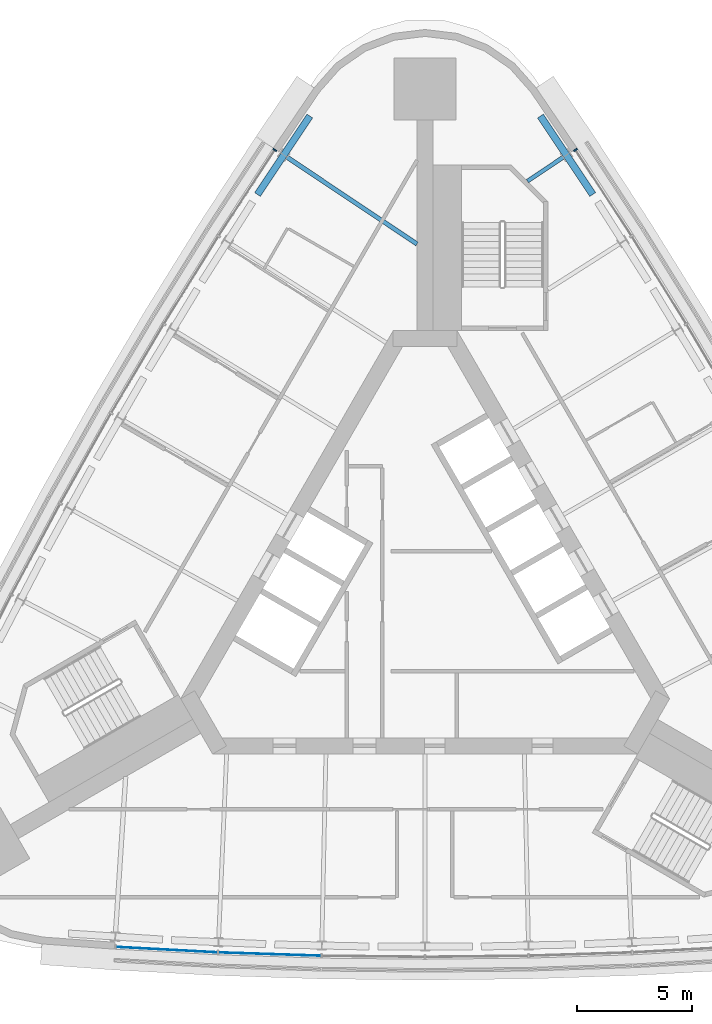
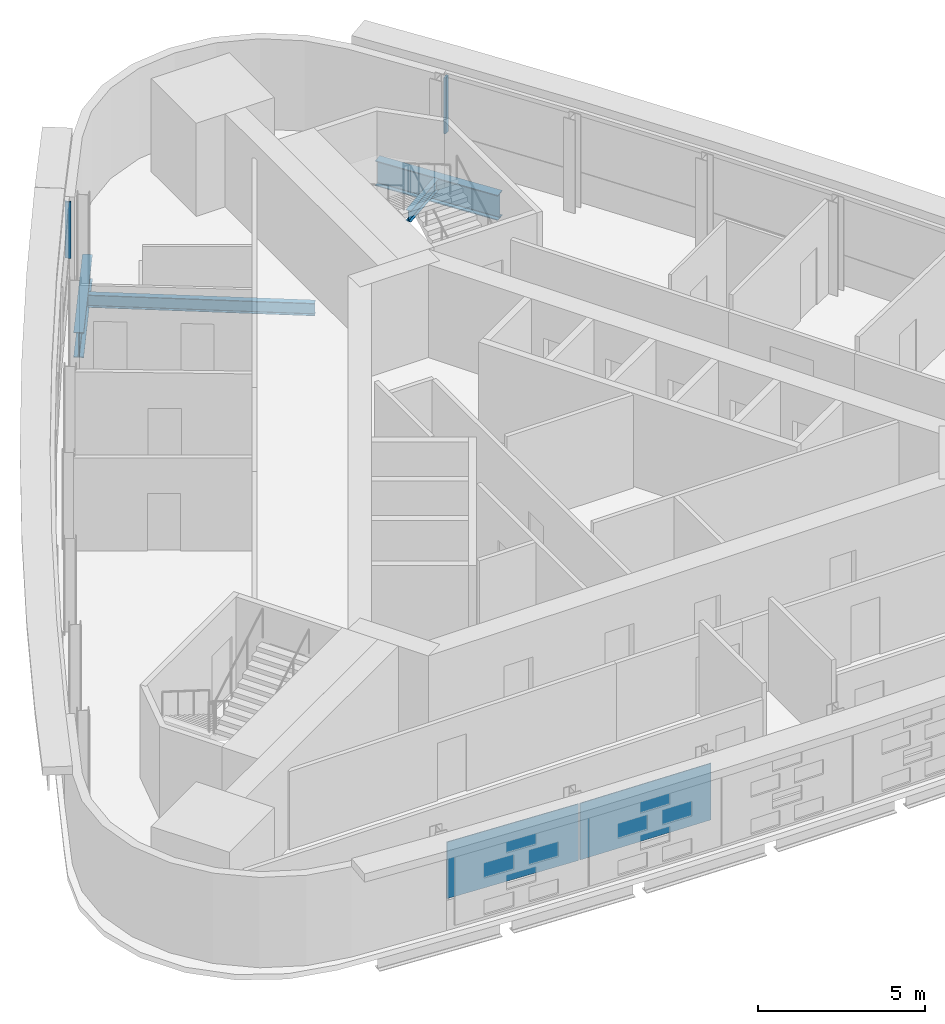
# One storey, part 5 of 10: 4 beams, 2 members, 2 plates, 3 elements without a shape of their own.
"""IFC4 building model written with IfcOpenShell, lengths in metres."""

from ifc_helpers import new_model, si_unit, direction, frame, origin, origin_2d, place, context, subcontext, project, spatial, rectangle, i_section, extrude, material, layer, layer_set, material_profile, profile_set, type_object, element, aggregate, save


model = new_model("IFC4")

# Units and contexts
model_context = context("Model", 3, precision=1e-05, world=origin(), true_north=direction((0.0, 1.0)))
body_context = subcontext(model_context, "Body", "Model", "MODEL_VIEW")
ifc_project = project(units=[si_unit("LENGTHUNIT", "METRE"), si_unit("AREAUNIT", "SQUARE_METRE"), si_unit("VOLUMEUNIT", "CUBIC_METRE"), si_unit("PLANEANGLEUNIT", "RADIAN"), si_unit("MASSUNIT", "GRAM", prefix="KILO")], contexts=[model_context])

# Site, building, storey
site_placement = place(None, origin())
site = spatial("IfcSite", under=ifc_project, at=site_placement, CompositionType="ELEMENT")
building_placement = place(site_placement, origin())
building = spatial("IfcBuilding", under=site, at=building_placement, Name="Noor Cloister Tower", CompositionType="ELEMENT")
storey_placement = place(building_placement, frame((0.0, 0.0, 192.300048828125)))
storey = spatial("IfcBuildingStorey", under=building, at=storey_placement, Name="L49", CompositionType="ELEMENT", Elevation=192.300048828125)

# Curtain wall, member
ifc_material_1 = material(Name="Aluminium 6063-T6 anodised", Category="aluminium")
curtain_wall_type = type_object("IfcCurtainWallType", Name="Ribbon curtain wall, upper tower CW5", PredefinedType="NOTDEFINED", material=ifc_material_1)
curtain_wall_1_placement = place(storey_placement, origin())
curtain_wall_1 = element("IfcCurtainWall", 1, at=curtain_wall_1_placement, inside=storey, type_object=curtain_wall_type, Name="CW5 L49 NW run 1", PredefinedType="NOTDEFINED")
ifc_material_2 = material(Name="Aluminium 6063-T6 anodised", Category="aluminium")
ifc_material_profile_1 = material_profile(ifc_material_2, rectangle(XDim=0.179931640625, YDim=0.070068359375, at=origin_2d()), Name="180 x 70 mullion")
ifc_profile_set_1 = profile_set([ifc_material_profile_1], Name="Aluminium 6063-T6 anodised")
member_type = type_object("IfcMemberType", Name="Mullion CW5 70 x 180", PredefinedType="MULLION", material=ifc_profile_set_1)
member_1_placement = place(storey_placement, frame((-6.530517578125, 19.30126953125, 1.099853515625), z_axis=(0.0, 0.0, 1.0), x_axis=(0.837721175681, -0.546098188804, 0.0)))
member_1 = element("IfcMember", 2, at=member_1_placement, type_object=member_type, Name="CW5 mullion 1", PredefinedType="MULLION", context=body_context, shape_type="SweptSolid", body=[
    extrude(rectangle(XDim=0.179931640625, YDim=0.070068359375, at=origin_2d()), origin(), (0.0, 0.0, 1.0), 2.050048828125),
])
aggregate(curtain_wall_1, [member_1])

curtain_wall_2_placement = place(storey_placement, origin())
curtain_wall_2 = element("IfcCurtainWall", 3, at=curtain_wall_2_placement, inside=storey, type_object=curtain_wall_type, Name="CW5 L49 NE run 3", PredefinedType="NOTDEFINED")
member_2_placement = place(storey_placement, frame((6.530517578125, 19.30126953125, 1.099853515625), z_axis=(0.0, 0.0, 1.0), x_axis=(-0.837721175681, -0.546098188804, 0.0)))
member_2 = element("IfcMember", 4, at=member_2_placement, type_object=member_type, Name="CW5 mullion 7", PredefinedType="MULLION", context=body_context, shape_type="SweptSolid", body=[
    extrude(rectangle(XDim=0.179931640625, YDim=0.070068359375, at=origin_2d()), origin(), (0.0, 0.0, 1.0), 2.050048828125),
])
aggregate(curtain_wall_2, [member_2])

# Beams
ifc_material_3 = material(Name="Steel ASTM A992 Gr 50", Category="steel")
ifc_material_profile_2 = material_profile(ifc_material_3, i_section(OverallWidth=0.177978515625, OverallDepth=0.406005859375, WebThickness=0.0078125, FlangeThickness=0.0126953125, FilletRadius=0.01025390625, at=origin_2d()), Name="W410x60")
ifc_profile_set_2 = profile_set([ifc_material_profile_2], Name="Steel ASTM A992 Gr 50")
beam_type_1 = type_object("IfcBeamType", Name="Radial beam W410x60", PredefinedType="BEAM", material=ifc_profile_set_2)
beam_1_placement = place(storey_placement, frame((6.0107421875, 18.9951171875, -0.403076171875), z_axis=(-0.831791118976, -0.555088762625, 0.0), x_axis=(0.555088762625, -0.831791118976, 0.0)))
element("IfcBeam", 5, at=beam_1_placement, inside=storey, type_object=beam_type_1, Name="Radial beam NE 07 L49", PredefinedType="BEAM", context=body_context, shape_type="SweptSolid", body=[
    extrude(i_section(OverallWidth=0.177978515625, OverallDepth=0.406005859375, WebThickness=0.0078125, FlangeThickness=0.0126953125, FilletRadius=0.01025390625, at=origin_2d()), origin(), (0.0, 0.0, 1.0), 1.884521484375),
])
ifc_material_4 = material(Name="Steel ASTM A992 Gr 50", Category="steel")
ifc_material_profile_3 = material_profile(ifc_material_4, i_section(OverallWidth=0.19091796875, OverallDepth=0.45703125, WebThickness=0.009033203125, FlangeThickness=0.014404296875, FilletRadius=0.01025390625, at=origin_2d()), Name="W460x74")
ifc_profile_set_3 = profile_set([ifc_material_profile_3], Name="Steel ASTM A992 Gr 50")
beam_type_2 = type_object("IfcBeamType", Name="Radial beam W460x74", PredefinedType="BEAM", material=ifc_profile_set_3)
beam_2_placement = place(storey_placement, frame((-6.0107421875, 18.9951171875, -0.428466796875), z_axis=(0.831757673518, -0.555138876809, 0.0), x_axis=(0.555138876809, 0.831757673518, 0.0)))
element("IfcBeam", 6, at=beam_2_placement, inside=storey, type_object=beam_type_2, Name="Radial beam NW 01 L49", PredefinedType="BEAM", context=body_context, shape_type="SweptSolid", body=[
    extrude(i_section(OverallWidth=0.19091796875, OverallDepth=0.45703125, WebThickness=0.009033203125, FlangeThickness=0.014404296875, FilletRadius=0.01025390625, at=origin_2d()), origin(), (0.0, 0.0, 1.0), 6.8056640625),
])
ifc_material_5 = material(Name="Steel ASTM A992 Gr 50", Category="steel")
ifc_material_profile_4 = material_profile(ifc_material_5, i_section(OverallWidth=0.304931640625, OverallDepth=0.9189453125, WebThickness=0.017333984375, FlangeThickness=0.02783203125, FilletRadius=0.01904296875, at=origin_2d()), Name="W920x253")
ifc_profile_set_4 = profile_set([ifc_material_profile_4], Name="Steel ASTM A992 Gr 50")
beam_type_3 = type_object("IfcBeamType", Name="Transfer girder W920x253", PredefinedType="BEAM", material=ifc_profile_set_4)
for number, where, z_axis, x_axis, name in (
    (7, (-5.008544921875, 20.774169921875, -0.65966796875), (-0.554562580058, -0.832142022012, 0.0), (0.832142022012, -0.554562580058, 0.0), "Transfer girder NW 01 L49"),
    (8, (7.279052734375, 17.3671875, -0.65966796875), (-0.554562580058, 0.832142022012, 0.0), (-0.832142022012, -0.554562580058, 0.0), "Transfer girder NE 07 L49"),
):
    element("IfcBeam", number, at=place(storey_placement, frame(where, z_axis=z_axis, x_axis=x_axis)), inside=storey, type_object=beam_type_3, Name=name, PredefinedType="BEAM", context=body_context, shape_type="SweptSolid", body=[
        extrude(i_section(OverallWidth=0.304931640625, OverallDepth=0.9189453125, WebThickness=0.017333984375, FlangeThickness=0.02783203125, FilletRadius=0.01904296875, at=origin_2d()), origin(), (0.0, 0.0, 1.0), 4.09423828125),
    ])

# Curtain wall, plates
curtain_wall_3_placement = place(storey_placement, origin())
curtain_wall_3 = element("IfcCurtainWall", 9, at=curtain_wall_3_placement, inside=storey, type_object=curtain_wall_type, Name="CW5 L49 S run 2", PredefinedType="NOTDEFINED")
ifc_material_6 = material(Name="Clear laminated glass 2 x 8 mm", Category="glass")
ifc_layer = layer(ifc_material_6, 0.028076171875)
ifc_layer_set = layer_set([ifc_layer], Name="Glass panel CW5")
plate_type = type_object("IfcPlateType", Name="Glass panel CW5", PredefinedType="CURTAIN_PANEL", material=ifc_layer_set)
plate_1_placement = place(storey_placement, frame((-11.221435546875, -15.4267578125, 1.08984375), z_axis=(0.0, 0.0, 1.0), x_axis=(0.99853691383, -0.054074316624, 0.0)))
plate_1 = element("IfcPlate", 10, at=plate_1_placement, type_object=plate_type, Name="CW5 glass panel 1", PredefinedType="CURTAIN_PANEL", context=body_context, shape_type="SweptSolid", body=[
    extrude(rectangle(XDim=4.413818359375, YDim=0.028076171875, at=origin_2d()), origin(), (0.0, 0.0, 1.0), 2.070068359375),
])
plate_2_placement = place(storey_placement, frame((-6.7451171875, -15.62060546875, 1.08984375), z_axis=(0.0, 0.0, 1.0), x_axis=(0.999473206863, -0.032454718651, 0.0)))
plate_2 = element("IfcPlate", 11, at=plate_2_placement, type_object=plate_type, Name="CW5 glass panel 2", PredefinedType="CURTAIN_PANEL", context=body_context, shape_type="SweptSolid", body=[
    extrude(rectangle(XDim=4.44775390625, YDim=0.028076171875, at=origin_2d()), origin(), (0.0, 0.0, 1.0), 2.070068359375),
])
aggregate(curtain_wall_3, [plate_1, plate_2])

save(model, "model.ifc")
